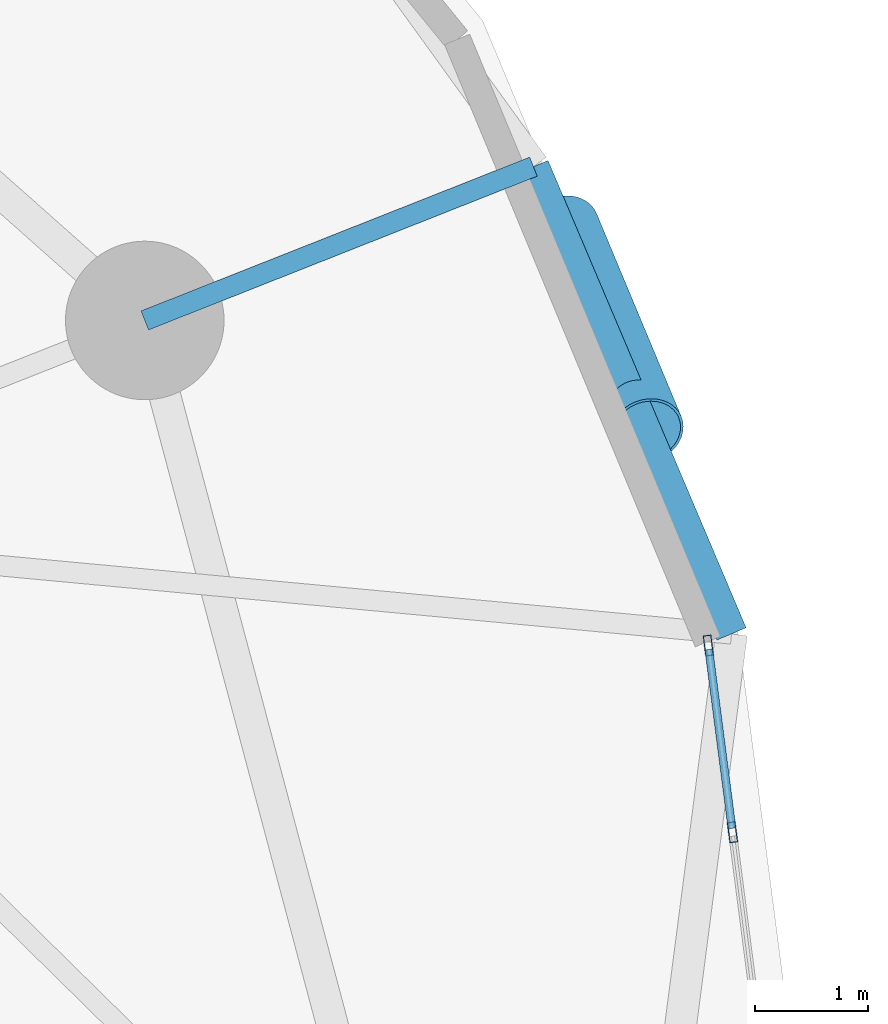
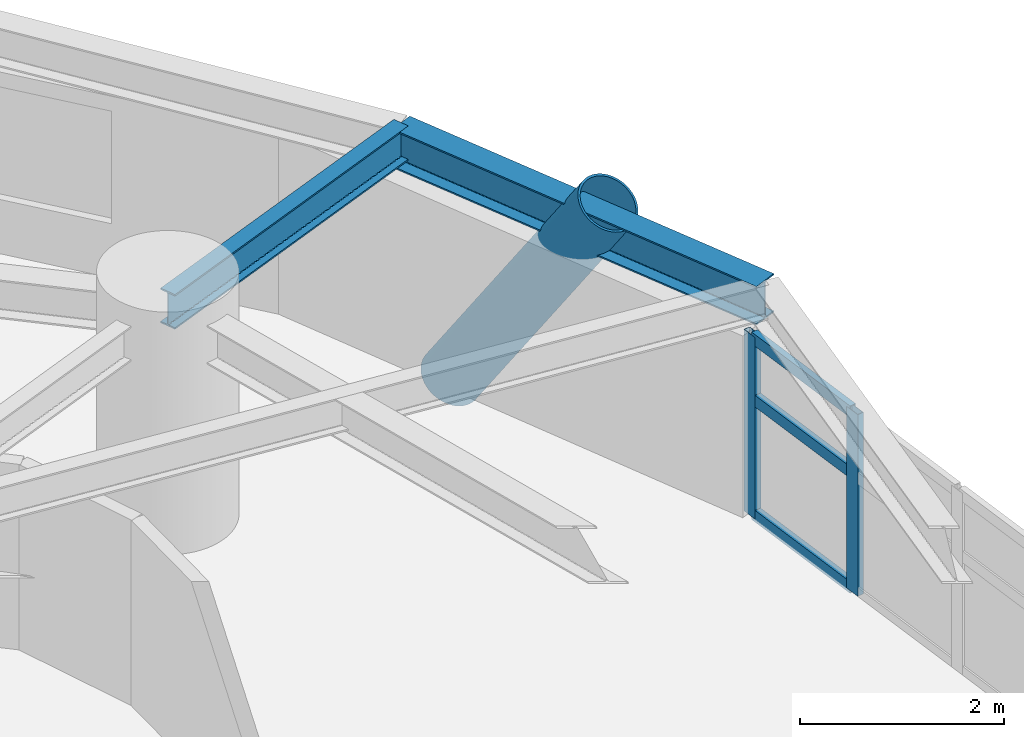
# One storey, part 4 of 17: 6 members, 2 beams, 1 element without a shape of its own.
"""IFC4 building model written with IfcOpenShell, lengths in metres."""

from ifc_helpers import new_model, si_unit, direction, frame, origin, origin_2d, place, context, subcontext, project, spatial, hollow_rectangle, hollow_circle, i_section, extrude, material, layer, layer_set, material_profile, profile_set, type_object, element, aggregate, save


model = new_model("IFC4")

# Units and contexts
model_context = context("Model", 3, precision=1e-05, world=origin(), true_north=direction((0.0, 1.0)))
body_context = subcontext(model_context, "Body", "Model", "MODEL_VIEW")
ifc_project = project(units=[si_unit("LENGTHUNIT", "METRE"), si_unit("AREAUNIT", "SQUARE_METRE"), si_unit("VOLUMEUNIT", "CUBIC_METRE"), si_unit("PLANEANGLEUNIT", "RADIAN"), si_unit("MASSUNIT", "GRAM", prefix="KILO")], contexts=[model_context])

# Site, building, storey
site_placement = place(None, origin())
site = spatial("IfcSite", under=ifc_project, at=site_placement, CompositionType="ELEMENT")
building_placement = place(site_placement, origin())
building = spatial("IfcBuilding", under=site, at=building_placement, Name="Cununo Teusaquillo Station Towers", CompositionType="ELEMENT")
storey_placement = place(building_placement, frame((0.0, 0.0, 70.14990234375)))
storey = spatial("IfcBuildingStorey", under=building, at=storey_placement, Name="L21", CompositionType="ELEMENT", Elevation=70.14990234375)

# Beams
ifc_material_1 = material(Name="Steel ASTM A572 Grade 50", Category="steel")
ifc_material_profile_1 = material_profile(ifc_material_1, i_section(OverallWidth=0.180908203125, OverallDepth=0.4169921875, WebThickness=0.010986328125, FlangeThickness=0.018310546875, FilletRadius=0.012939453125, at=origin_2d()), Name="W16X57")
ifc_profile_set_1 = profile_set([ifc_material_profile_1], Name="Steel ASTM A572 Grade 50")
beam_type_1 = type_object("IfcBeamType", Name="BM-RAD-G2", PredefinedType="BEAM", material=ifc_profile_set_1)
beam_1_placement = place(storey_placement, frame((26.347412109375, 33.228515625, 2.461669921875), z_axis=(0.929861788731, 0.367909029323, 0.0), x_axis=(-0.367909029323, 0.929861788731, 0.0)))
element("IfcBeam", 1, at=beam_1_placement, inside=storey, type_object=beam_type_1, Name="L21 Tower A Perimeter Overhang Girder 02B", PredefinedType="BEAM", context=body_context, shape_type="SweptSolid", body=[
    extrude(i_section(OverallWidth=0.180908203125, OverallDepth=0.4169921875, WebThickness=0.010986328125, FlangeThickness=0.018310546875, FilletRadius=0.012939453125, at=origin_2d()), origin(), (0.0, 0.0, 1.0), 3.690185546875),
])
ifc_material_2 = material(Name="Steel ASTM A572 Grade 50", Category="steel")
ifc_material_profile_2 = material_profile(ifc_material_2, i_section(OverallWidth=0.280029296875, OverallDepth=0.462890625, WebThickness=0.0107421875, FlangeThickness=0.017333984375, FilletRadius=0.013916015625, at=origin_2d()), Name="W18X76")
ifc_profile_set_2 = profile_set([ifc_material_profile_2], Name="Steel ASTM A572 Grade 50")
beam_type_2 = type_object("IfcBeamType", Name="BM-RING-Z2", PredefinedType="SPANDREL", material=ifc_profile_set_2)
beam_2_placement = place(storey_placement, frame((31.527587890625, 30.4609375, 2.4384765625), z_axis=(-0.390299356049, 0.920688010494, 0.0), x_axis=(-0.920688010494, -0.390299356049, 0.0)))
element("IfcBeam", 2, at=beam_2_placement, inside=storey, type_object=beam_type_2, Name="L21 Tower A Spandrel Ring Beam 02", PredefinedType="SPANDREL", context=body_context, shape_type="SweptSolid", body=[
    extrude(i_section(OverallWidth=0.280029296875, OverallDepth=0.462890625, WebThickness=0.0107421875, FlangeThickness=0.017333984375, FilletRadius=0.013916015625, at=origin_2d()), origin(), (0.0, 0.0, 1.0), 4.480712890625),
])

# Curtain wall, members
ifc_material_3 = material(Name="Ceramic-fritted dark low-E double glazing", Category="glass")
ifc_layer = layer(ifc_material_3, 0.179931640625)
ifc_layer_set = layer_set([ifc_layer], Name="Ceramic-fritted dark low-E double glazing")
curtain_wall_type = type_object("IfcCurtainWallType", Name="CW-SYS-04", PredefinedType="USERDEFINED", material=ifc_layer_set)
curtain_wall_placement = place(storey_placement, origin())
curtain_wall = element("IfcCurtainWall", 3, at=curtain_wall_placement, inside=storey, type_object=curtain_wall_type, Name="L21 Tower A Facade Curtain Wall C00", ObjectType="FRITTED GLAZING", PredefinedType="USERDEFINED")
ifc_material_4 = material(Name="Anodised dark bronze aluminium EN AW-6063-T6", Category="aluminium")
ifc_material_profile_3 = material_profile(ifc_material_4, hollow_rectangle(XDim=0.070068359375, YDim=0.179931640625, WallThickness=0.00390625, at=origin_2d()), Name="CW-MULL-70x180")
ifc_profile_set_3 = profile_set([ifc_material_profile_3], Name="Anodised dark bronze aluminium EN AW-6063-T6")
member_type_1 = type_object("IfcMemberType", Name="CWM-180", PredefinedType="MULLION", material=ifc_profile_set_3)
member_1_placement = place(storey_placement, frame((31.322998046875, 30.3583984375, 0.0), z_axis=(0.0, 0.0, 1.0), x_axis=(0.991730764367, 0.128335852387, 0.0)))
member_1 = element("IfcMember", 4, at=member_1_placement, type_object=member_type_1, Name="CW-04 mullion 1", PredefinedType="MULLION", context=body_context, shape_type="SweptSolid", body=[
    extrude(hollow_rectangle(XDim=0.070068359375, YDim=0.179931640625, WallThickness=0.00390625, at=origin_2d()), origin(), (0.0, 0.0, 1.0), 2.17919921875),
])
member_2_placement = place(storey_placement, frame((31.5361328125, 28.709716796875, 0.0), z_axis=(0.0, 0.0, 1.0), x_axis=(0.991730764367, 0.128335852387, 0.0)))
member_2 = element("IfcMember", 5, at=member_2_placement, type_object=member_type_1, Name="CW-04 mullion 2", PredefinedType="MULLION", context=body_context, shape_type="SweptSolid", body=[
    extrude(hollow_rectangle(XDim=0.070068359375, YDim=0.179931640625, WallThickness=0.00390625, at=origin_2d()), origin(), (0.0, 0.0, 1.0), 2.17919921875),
])
ifc_material_5 = material(Name="Anodised dark bronze aluminium EN AW-6063-T6", Category="aluminium")
ifc_material_profile_4 = material_profile(ifc_material_5, hollow_rectangle(XDim=0.070068359375, YDim=0.139892578125, WallThickness=0.00390625, at=origin_2d()), Name="CW-TRAN-70x140")
ifc_profile_set_4 = profile_set([ifc_material_profile_4], Name="Anodised dark bronze aluminium EN AW-6063-T6")
member_type_2 = type_object("IfcMemberType", Name="CWT-140", PredefinedType="USERDEFINED", material=ifc_profile_set_4)
member_3_placement = place(storey_placement, frame((31.327392578125, 30.323486328125, 0.03515625), z_axis=(0.128336210724, -0.991730717996, 0.0), x_axis=(0.991730717996, 0.128336210724, 0.0)))
member_3 = element("IfcMember", 6, at=member_3_placement, type_object=member_type_2, Name="CW-04 transom 1.1", ObjectType="TRANSOM", PredefinedType="USERDEFINED", context=body_context, shape_type="SweptSolid", body=[
    extrude(hollow_rectangle(XDim=0.070068359375, YDim=0.139892578125, WallThickness=0.00390625, at=origin_2d()), origin(), (0.0, 0.0, 1.0), 1.59228515625),
])
member_4_placement = place(storey_placement, frame((31.327392578125, 30.323486328125, 1.416015625), z_axis=(0.128336210724, -0.991730717996, 0.0), x_axis=(0.991730717996, 0.128336210724, 0.0)))
member_4 = element("IfcMember", 7, at=member_4_placement, type_object=member_type_2, Name="CW-04 transom 1.2", ObjectType="TRANSOM", PredefinedType="USERDEFINED", context=body_context, shape_type="SweptSolid", body=[
    extrude(hollow_rectangle(XDim=0.070068359375, YDim=0.139892578125, WallThickness=0.00390625, at=origin_2d()), origin(), (0.0, 0.0, 1.0), 1.59228515625),
])
member_5_placement = place(storey_placement, frame((31.327392578125, 30.323486328125, 2.14404296875), z_axis=(0.128336210724, -0.991730717996, 0.0), x_axis=(0.991730717996, 0.128336210724, 0.0)))
member_5 = element("IfcMember", 8, at=member_5_placement, type_object=member_type_2, Name="CW-04 transom 1.3", ObjectType="TRANSOM", PredefinedType="USERDEFINED", context=body_context, shape_type="SweptSolid", body=[
    extrude(hollow_rectangle(XDim=0.070068359375, YDim=0.139892578125, WallThickness=0.00390625, at=origin_2d()), origin(), (0.0, 0.0, 1.0), 1.59228515625),
])
aggregate(curtain_wall, [member_1, member_2, member_3, member_4, member_5])

# Member
ifc_material_6 = material(Name="Steel EN 10025-2 S355J2", Category="steel")
ifc_material_profile_5 = material_profile(ifc_material_6, hollow_circle(Radius=0.330078125, WallThickness=0.02490234375, at=origin_2d()), Name="CHS 660x25")
ifc_profile_set_5 = profile_set([ifc_material_profile_5], Name="Steel EN 10025-2 S355J2")
member_type_3 = type_object("IfcMemberType", Name="MBR-DIAG-Z2", PredefinedType="BRACE", material=ifc_profile_set_5)
member_6_placement = place(storey_placement, frame((30.031494140625, 34.0458984375, -0.139892578125), z_axis=(0.213813667787, -0.512343325357, 0.831737958993), x_axis=(0.922861086318, 0.385132983993, 0.0)))
element("IfcMember", 9, at=member_6_placement, inside=storey, type_object=member_type_3, Name="L21 Tower A Folded-Zigzag Diagrid Tube C01", PredefinedType="BRACE", context=body_context, shape_type="SweptSolid", body=[
    extrude(hollow_circle(Radius=0.330078125, WallThickness=0.02490234375, at=origin_2d()), origin(), (0.0, 0.0, 1.0), 3.49853515625),
])

save(model, "model.ifc")
